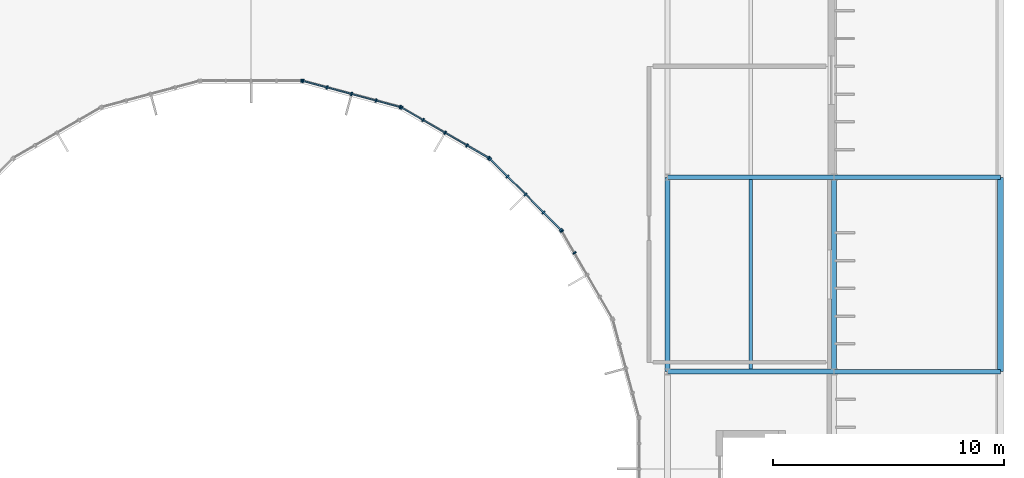
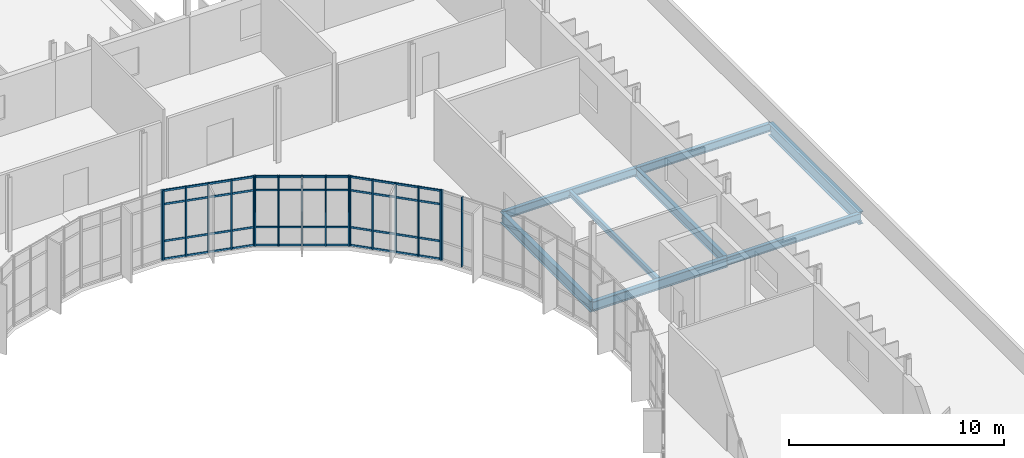
# One storey, part 55 of 99: 30 members, 8 beams, 5 elements without a shape of their own.
"""IFC4 building model written with IfcOpenShell, lengths in metres."""

import ifcopenshell
import ifcopenshell.guid

model = None  # the IFC model being written
_history = None  # IfcOwnerHistory: only IFC2X3 demands one
_inside = {}  # id of a spatial element -> (the spatial element, [elements in it])
_under = {}  # id of a project, library or spatial element -> (it, [spatial elements below it])
_declared = {}  # id of a project -> (the project, [libraries it declares])
_typed = {}  # id of a type object -> (the type object, [elements of that type])
_made_of = {}  # id of a material, layer set ... -> (it, [elements and type objects made of it])


def new_model(schema):
    """Start an empty IFC model of exactly this schema.

    Asked for "IFC4X3", IfcOpenShell would pick the latest addendum, in which some entities
    have other attributes; the version numbers below select the first issue.
    IFC2X3 requires an IfcOwnerHistory on every rooted entity: one is made here for all.
    """
    global model, _history
    if schema == "IFC4X3":
        model = ifcopenshell.file(schema_version=(4, 3, 0, 0))
    else:
        model = ifcopenshell.file(schema=schema)
    _inside.clear()
    _under.clear()
    _declared.clear()
    _typed.clear()
    _made_of.clear()
    _history = None
    if model.schema == "IFC2X3":
        org = make("IfcOrganization", Name="unknown")
        user = make(
            "IfcPersonAndOrganization",
            ThePerson=make("IfcPerson", FamilyName="unknown"),
            TheOrganization=org,
        )
        app = make(
            "IfcApplication",
            ApplicationDeveloper=org,
            Version="unknown",
            ApplicationFullName="unknown",
            ApplicationIdentifier="unknown",
        )
        _history = make(
            "IfcOwnerHistory",
            OwningUser=user,
            OwningApplication=app,
            ChangeAction="ADDED",
            CreationDate=0,
        )
    return model


def make(cls, **values):
    """One entity of the class cls with the attributes given. An attribute that is None is left unset."""
    return model.create_entity(
        cls, **{name: value for name, value in values.items() if value is not None}
    )


def rooted(cls, **values):
    """An entity with a GlobalId (a new one), such as an element, a storey or a relation."""
    return make(cls, GlobalId=ifcopenshell.guid.new(), OwnerHistory=_history, **values)


def si_unit(unit_type, name, prefix=None):
    """IfcSIUnit, for example si_unit("LENGTHUNIT", "METRE", prefix="MILLI")."""
    return make("IfcSIUnit", UnitType=unit_type, Prefix=prefix, Name=name)


def assignment(units):
    """IfcUnitAssignment: the units of a project."""
    return None if units is None else make("IfcUnitAssignment", Units=units)


def point(xyz):
    """IfcCartesianPoint."""
    return None if xyz is None else make("IfcCartesianPoint", Coordinates=xyz)


def direction(xyz):
    """IfcDirection."""
    return None if xyz is None else make("IfcDirection", DirectionRatios=xyz)


def frame(location, z_axis=None, x_axis=None):
    """IfcAxis2Placement3D, a coordinate frame: its origin and axes. An axis left out is left unset."""
    return make(
        "IfcAxis2Placement3D",
        Location=point(location),
        Axis=direction(z_axis),
        RefDirection=direction(x_axis),
    )


def frame_2d(location, x_axis=None):
    """IfcAxis2Placement2D, a coordinate frame in the plane: its origin and x axis."""
    return make(
        "IfcAxis2Placement2D", Location=point(location), RefDirection=direction(x_axis)
    )


def origin():
    """The frame at (0, 0, 0) with its axes left unset."""
    return frame((0.0, 0.0, 0.0))


def origin_2d():
    """The frame at (0, 0) in the plane with its x axis left unset."""
    return frame_2d((0.0, 0.0))


def place(relative_to, where):
    """IfcLocalPlacement: puts the frame where relative to a parent placement (None: the world)."""
    return make(
        "IfcLocalPlacement", PlacementRelTo=relative_to, RelativePlacement=where
    )


def context(
    kind, dimensions, precision=None, world=None, true_north=None, identifier=None
):
    """IfcGeometricRepresentationContext, for example the 3D "Model" context."""
    return make(
        "IfcGeometricRepresentationContext",
        ContextIdentifier=identifier,
        ContextType=kind,
        CoordinateSpaceDimension=dimensions,
        Precision=precision,
        WorldCoordinateSystem=world,
        TrueNorth=true_north,
    )


def subcontext(parent, identifier, kind, view, scale=None):
    """IfcGeometricRepresentationSubContext, for example "Body" below "Model"."""
    return make(
        "IfcGeometricRepresentationSubContext",
        ContextIdentifier=identifier,
        ContextType=kind,
        ParentContext=parent,
        TargetScale=scale,
        TargetView=view,
    )


def project(units=None, contexts=None):
    """IfcProject with its units and contexts."""
    return rooted(
        "IfcProject",
        Name="project",
        RepresentationContexts=contexts,
        UnitsInContext=assignment(units),
    )


def spatial(cls, under=None, at=None, **own):
    """A site, building, storey or space (cls), placed at a placement, below another one or the project."""
    s = rooted(cls, ObjectPlacement=at, **own)
    if under is not None:
        _under.setdefault(under.id(), (under, []))[1].append(s)
    return s


def profile(cls, at=None, kind="AREA", **sizes):
    """A parametric profile (cls). Its sizes go by their IFC names, for example OverallWidth=200.0."""
    return make(cls, ProfileType=kind, Position=at, **sizes)


def rectangle(**sizes):
    """IfcRectangleProfileDef."""
    return profile("IfcRectangleProfileDef", **sizes)


def i_section(**sizes):
    """IfcIShapeProfileDef."""
    return profile("IfcIShapeProfileDef", **sizes)


def extrude(swept, where, along, depth):
    """IfcExtrudedAreaSolid: the profile swept, set in the frame where, extruded along a direction by depth."""
    return make(
        "IfcExtrudedAreaSolid",
        SweptArea=swept,
        Position=where,
        ExtrudedDirection=direction(along),
        Depth=depth,
    )


def shape(context_of_items, identifier, shape_type, items):
    """IfcShapeRepresentation: the items that make up one representation, for example the "Body"."""
    return make(
        "IfcShapeRepresentation",
        ContextOfItems=context_of_items,
        RepresentationIdentifier=identifier,
        RepresentationType=shape_type,
        Items=items,
    )


def material(Name=None, Category=None):
    """IfcMaterial."""
    return make("IfcMaterial", Name=Name, Category=Category)


def material_profile(
    of_material, cross_section, Name=None, Category=None, Priority=None
):
    """IfcMaterialProfile: a cross section and its material."""
    return make(
        "IfcMaterialProfile",
        Name=Name,
        Material=of_material,
        Profile=cross_section,
        Priority=Priority,
        Category=Category,
    )


def profile_set(profiles, Name=None, composite=None):
    """IfcMaterialProfileSet."""
    return make(
        "IfcMaterialProfileSet",
        Name=Name,
        MaterialProfiles=profiles,
        CompositeProfile=composite,
    )


def made_of(thing, what):
    """Note that an element or type object is made of a material, layer set ...; save() writes the relation."""
    if what is not None:
        _made_of.setdefault(what.id(), (what, []))[1].append(thing)
    return thing


def type_object(cls, material=None, **own):
    """A type object (cls), such as IfcWallType, which elements share."""
    return made_of(rooted(cls, **own), material)


def element(
    cls,
    number,
    at=None,
    inside=None,
    cuts=None,
    type_object=None,
    material=None,
    context=None,
    identifier="Body",
    shape_type=None,
    held_by="IfcProductDefinitionShape",
    body=None,
    shapes=None,
    **own,
):
    """One element of the class cls, such as IfcWall. Its Tag is "e" and its number.

    at: its placement. inside: the storey or other place that contains it. cuts: it is an
    opening in that element (IfcRelVoidsElement). A single representation is given by context,
    identifier, shape_type and body (its items); several are given by shapes. held_by: the class
    of the entity that holds the representations. save() writes the other relations.
    """
    e = rooted(cls, Tag="e%d" % number, ObjectPlacement=at, **own)
    if body is not None:
        shapes = [shape(context, identifier, shape_type, body)]
    if shapes is not None:
        e.Representation = make(held_by, Representations=shapes)
    if inside is not None:
        _inside.setdefault(inside.id(), (inside, []))[1].append(e)
    if cuts is not None:
        rooted(
            "IfcRelVoidsElement", RelatingBuildingElement=cuts, RelatedOpeningElement=e
        )
    if type_object is not None:
        _typed.setdefault(type_object.id(), (type_object, []))[1].append(e)
    return made_of(e, material)


def aggregate(whole, parts):
    """IfcRelAggregates: a whole, such as a stair, and the parts it consists of."""
    return rooted("IfcRelAggregates", RelatingObject=whole, RelatedObjects=parts)


def save(model, path):
    """Write the relations noted so far, then the file.

    IfcRelAggregates (storeys below a building ...), IfcRelContainedInSpatialStructure (elements
    in a storey), IfcRelDefinesByType, IfcRelAssociatesMaterial and IfcRelDeclares: one each for
    every whole, place, type object, material and project.
    """
    for whole, parts in _under.values():
        aggregate(whole, parts)
    for where, things in _inside.values():
        rooted(
            "IfcRelContainedInSpatialStructure",
            RelatedElements=things,
            RelatingStructure=where,
        )
    for kind, things in _typed.values():
        rooted("IfcRelDefinesByType", RelatedObjects=things, RelatingType=kind)
    for what, things in _made_of.values():
        rooted("IfcRelAssociatesMaterial", RelatedObjects=things, RelatingMaterial=what)
    for by, libraries in _declared.values():
        rooted("IfcRelDeclares", RelatingContext=by, RelatedDefinitions=libraries)
    model.write(path)


model = new_model("IFC4")

# Units and contexts
model_context = context("Model", 3, precision=1e-05, world=origin(), true_north=direction((0.0, 1.0)))
body_context = subcontext(model_context, "Body", "Model", "MODEL_VIEW")
ifc_project = project(units=[si_unit("LENGTHUNIT", "METRE"), si_unit("AREAUNIT", "SQUARE_METRE"), si_unit("VOLUMEUNIT", "CUBIC_METRE"), si_unit("PLANEANGLEUNIT", "RADIAN"), si_unit("MASSUNIT", "GRAM", prefix="KILO")], contexts=[model_context])

# Site, building, storey
site_placement = place(None, origin())
site = spatial("IfcSite", under=ifc_project, at=site_placement, CompositionType="ELEMENT")
building_placement = place(site_placement, origin())
building = spatial("IfcBuilding", under=site, at=building_placement, Name="Qelthora Terrace Specialist Clinic", CompositionType="ELEMENT")
storey_placement = place(building_placement, frame((0.0, 0.0, 9.0)))
storey = spatial("IfcBuildingStorey", under=building, at=storey_placement, Name="L02", CompositionType="ELEMENT", Elevation=9.0)

# Beams
ifc_material_1 = material(Name="Steel S355", Category="steel")
ifc_material_profile_1 = material_profile(ifc_material_1, i_section(OverallWidth=0.19091796875, OverallDepth=0.4599609375, WebThickness=0.010009765625, FlangeThickness=0.01611328125, FilletRadius=0.012939453125, at=origin_2d()), Name="W460X82")
ifc_profile_set_1 = profile_set([ifc_material_profile_1], Name="Steel S355")
beam_type_1 = type_object("IfcBeamType", Name="BM-W460X82", PredefinedType="BEAM", material=ifc_profile_set_1)
beam_1_placement = place(storey_placement, frame((144.0, 75.60009765625, -0.47998046875), z_axis=(1.0, 0.0, 0.0), x_axis=(0.0, 1.0, 0.0)))
element("IfcBeam", 1, at=beam_1_placement, inside=storey, type_object=beam_type_1, Name="Girder BMX-L02-0671", PredefinedType="BEAM", context=body_context, shape_type="SweptSolid", body=[
    extrude(i_section(OverallWidth=0.19091796875, OverallDepth=0.4599609375, WebThickness=0.010009765625, FlangeThickness=0.01611328125, FilletRadius=0.012939453125, at=origin_2d()), origin(), (0.0, 0.0, 1.0), 7.199951171875),
])
ifc_material_profile_2 = material_profile(ifc_material_1, i_section(OverallWidth=0.2099609375, OverallDepth=0.537109375, WebThickness=0.010986328125, FlangeThickness=0.017333984375, FilletRadius=0.013916015625, at=origin_2d()), Name="W530X101")
ifc_profile_set_2 = profile_set([ifc_material_profile_2], Name="Steel S355")
beam_type_2 = type_object("IfcBeamType", Name="BM-W530X101", PredefinedType="BEAM", material=ifc_profile_set_2)
beam_2_placement = place(storey_placement, frame((151.199951171875, 67.199951171875, -0.5185546875), z_axis=(0.0, 1.0, 0.0), x_axis=(-1.0, 0.0, 0.0)))
element("IfcBeam", 2, at=beam_2_placement, inside=storey, type_object=beam_type_2, Name="Girder BMY-L02-0906", PredefinedType="BEAM", context=body_context, shape_type="SweptSolid", body=[
    extrude(i_section(OverallWidth=0.2099609375, OverallDepth=0.537109375, WebThickness=0.010986328125, FlangeThickness=0.017333984375, FilletRadius=0.013916015625, at=origin_2d()), origin(), (0.0, 0.0, 1.0), 8.400146484375),
])
ifc_material_profile_3 = material_profile(ifc_material_1, i_section(OverallWidth=0.2119140625, OverallDepth=0.5439453125, WebThickness=0.01318359375, FlangeThickness=0.021240234375, FilletRadius=0.013916015625, at=origin_2d()), Name="W530X123")
ifc_profile_set_3 = profile_set([ifc_material_profile_3], Name="Steel S355")
beam_type_3 = type_object("IfcBeamType", Name="BM-W530X123", PredefinedType="BEAM", material=ifc_profile_set_3)
beam_3_placement = place(storey_placement, frame((144.0, 67.199951171875, -0.52197265625), z_axis=(1.0, 0.0, 0.0), x_axis=(0.0, 1.0, 0.0)))
element("IfcBeam", 3, at=beam_3_placement, inside=storey, type_object=beam_type_3, Name="Girder BMX-L02-0663", PredefinedType="BEAM", context=body_context, shape_type="SweptSolid", body=[
    extrude(i_section(OverallWidth=0.2119140625, OverallDepth=0.5439453125, WebThickness=0.01318359375, FlangeThickness=0.021240234375, FilletRadius=0.013916015625, at=origin_2d()), origin(), (0.0, 0.0, 1.0), 7.199951171875),
])
ifc_material_profile_4 = material_profile(ifc_material_1, i_section(OverallWidth=0.22998046875, OverallDepth=0.616943359375, WebThickness=0.01318359375, FlangeThickness=0.022216796875, FilletRadius=0.01611328125, at=origin_2d()), Name="W610X140")
ifc_profile_set_4 = profile_set([ifc_material_profile_4], Name="Steel S355")
beam_type_4 = type_object("IfcBeamType", Name="BM-W610X140", PredefinedType="BEAM", material=ifc_profile_set_4)
beam_4_placement = place(storey_placement, frame((144.0, 67.199951171875, -0.55859375), z_axis=(0.0, 1.0, 0.0), x_axis=(-1.0, 0.0, 0.0)))
element("IfcBeam", 4, at=beam_4_placement, inside=storey, type_object=beam_type_4, Name="Girder BMY-L02-0894", PredefinedType="BEAM", context=body_context, shape_type="SweptSolid", body=[
    extrude(i_section(OverallWidth=0.22998046875, OverallDepth=0.616943359375, WebThickness=0.01318359375, FlangeThickness=0.022216796875, FilletRadius=0.01611328125, at=origin_2d()), origin(), (0.0, 0.0, 1.0), 8.400146484375),
])
ifc_material_profile_5 = material_profile(ifc_material_1, i_section(OverallWidth=0.256103515625, OverallDepth=0.693115234375, WebThickness=0.014404296875, FlangeThickness=0.023681640625, FilletRadius=0.01806640625, at=origin_2d()), Name="W690X170")
ifc_profile_set_5 = profile_set([ifc_material_profile_5], Name="Steel S355")
beam_type_5 = type_object("IfcBeamType", Name="BM-W690X170", PredefinedType="BEAM", material=ifc_profile_set_5)
beam_5_placement = place(storey_placement, frame((158.39990234375, 67.199951171875, -0.596435546875), z_axis=(0.0, 1.0, 0.0), x_axis=(-1.0, 0.0, 0.0)))
element("IfcBeam", 5, at=beam_5_placement, inside=storey, type_object=beam_type_5, Name="Girder BMY-L02-0913", PredefinedType="BEAM", context=body_context, shape_type="SweptSolid", body=[
    extrude(i_section(OverallWidth=0.256103515625, OverallDepth=0.693115234375, WebThickness=0.014404296875, FlangeThickness=0.023681640625, FilletRadius=0.01806640625, at=origin_2d()), origin(), (0.0, 0.0, 1.0), 8.400146484375),
])

# Curtain wall, members
ifc_material_2 = material(Name="Aluminium anodized bronze", Category="aluminium")
curtain_wall_type = type_object("IfcCurtainWallType", Name="CW-CRTE-UPP", PredefinedType="NOTDEFINED", material=ifc_material_2)
curtain_wall_1_placement = place(storey_placement, origin())
curtain_wall_1 = element("IfcCurtainWall", 6, at=curtain_wall_1_placement, inside=storey, type_object=curtain_wall_type, Name="Curtain wall CW-CE-L02-02", PredefinedType="NOTDEFINED")
ifc_material_profile_6 = material_profile(ifc_material_2, rectangle(XDim=0.06005859375, YDim=0.14990234375, at=origin_2d()), Name="CWM60X150")
ifc_profile_set_6 = profile_set([ifc_material_profile_6], Name="Aluminium anodized bronze")
member_type_1 = type_object("IfcMemberType", Name="CWM-60X150", PredefinedType="MULLION", material=ifc_profile_set_6)
member_1_placement = place(storey_placement, frame((139.98046875, 72.337646484375, 0.0), z_axis=(0.0, 0.0, 1.0), x_axis=(-0.500000028915, 0.86602538709, 0.0)))
member_1 = element("IfcMember", 7, at=member_1_placement, type_object=member_type_1, Name="CW-CE-L02-02 mullion 4", PredefinedType="MULLION", context=body_context, shape_type="SweptSolid", body=[
    extrude(rectangle(XDim=0.06005859375, YDim=0.14990234375, at=origin_2d()), origin(), (0.0, 0.0, 1.0), 3.945068359375),
])
member_2_placement = place(storey_placement, frame((139.442138671875, 73.269775390625, 0.0), z_axis=(0.0, 0.0, 1.0), x_axis=(-0.500000028915, 0.86602538709, 0.0)))
member_2 = element("IfcMember", 8, at=member_2_placement, type_object=member_type_1, Name="CW-CE-L02-02 mullion 5", PredefinedType="MULLION", context=body_context, shape_type="SweptSolid", body=[
    extrude(rectangle(XDim=0.06005859375, YDim=0.14990234375, at=origin_2d()), origin(), (0.0, 0.0, 1.0), 3.945068359375),
])
aggregate(curtain_wall_1, [member_1, member_2])

curtain_wall_2_placement = place(storey_placement, origin())
curtain_wall_2 = element("IfcCurtainWall", 9, at=curtain_wall_2_placement, inside=storey, type_object=curtain_wall_type, Name="Curtain wall CW-CE-L02-03", PredefinedType="NOTDEFINED")
member_3_placement = place(storey_placement, frame((139.399169921875, 73.326171875, 0.0), z_axis=(0.0, 0.0, 1.0), x_axis=(-0.707106781187, 0.707106781187, 0.0)))
member_3 = element("IfcMember", 10, at=member_3_placement, type_object=member_type_1, Name="CW-CE-L02-03 mullion 1", PredefinedType="MULLION", context=body_context, shape_type="SweptSolid", body=[
    extrude(rectangle(XDim=0.06005859375, YDim=0.14990234375, at=origin_2d()), origin(), (0.0, 0.0, 1.0), 3.945068359375),
])
member_4_placement = place(storey_placement, frame((138.637939453125, 74.08740234375, 0.0), z_axis=(0.0, 0.0, 1.0), x_axis=(-0.707106781187, 0.707106781187, 0.0)))
member_4 = element("IfcMember", 11, at=member_4_placement, type_object=member_type_1, Name="CW-CE-L02-03 mullion 2", PredefinedType="MULLION", context=body_context, shape_type="SweptSolid", body=[
    extrude(rectangle(XDim=0.06005859375, YDim=0.14990234375, at=origin_2d()), origin(), (0.0, 0.0, 1.0), 3.945068359375),
])
member_5_placement = place(storey_placement, frame((137.862548828125, 74.862548828125, 0.0), z_axis=(0.0, 0.0, 1.0), x_axis=(-0.707106781187, 0.707106781187, 0.0)))
member_5 = element("IfcMember", 12, at=member_5_placement, type_object=member_type_1, Name="CW-CE-L02-03 mullion 3", PredefinedType="MULLION", context=body_context, shape_type="SweptSolid", body=[
    extrude(rectangle(XDim=0.06005859375, YDim=0.14990234375, at=origin_2d()), origin(), (0.0, 0.0, 1.0), 3.945068359375),
])
member_6_placement = place(storey_placement, frame((137.08740234375, 75.637939453125, 0.0), z_axis=(0.0, 0.0, 1.0), x_axis=(-0.707106781187, 0.707106781187, 0.0)))
member_6 = element("IfcMember", 13, at=member_6_placement, type_object=member_type_1, Name="CW-CE-L02-03 mullion 4", PredefinedType="MULLION", context=body_context, shape_type="SweptSolid", body=[
    extrude(rectangle(XDim=0.06005859375, YDim=0.14990234375, at=origin_2d()), origin(), (0.0, 0.0, 1.0), 3.945068359375),
])
member_7_placement = place(storey_placement, frame((136.326171875, 76.399169921875, 0.0), z_axis=(0.0, 0.0, 1.0), x_axis=(-0.707106781187, 0.707106781187, 0.0)))
member_7 = element("IfcMember", 14, at=member_7_placement, type_object=member_type_1, Name="CW-CE-L02-03 mullion 5", PredefinedType="MULLION", context=body_context, shape_type="SweptSolid", body=[
    extrude(rectangle(XDim=0.06005859375, YDim=0.14990234375, at=origin_2d()), origin(), (0.0, 0.0, 1.0), 3.945068359375),
])

curtain_wall_3_placement = place(storey_placement, origin())
curtain_wall_3 = element("IfcCurtainWall", 15, at=curtain_wall_3_placement, inside=storey, type_object=curtain_wall_type, Name="Curtain wall CW-CE-L02-04", PredefinedType="NOTDEFINED")
member_8_placement = place(storey_placement, frame((136.269775390625, 76.442138671875, 0.0), z_axis=(0.0, 0.0, 1.0), x_axis=(-0.86602538709, 0.500000028915, 0.0)))
member_8 = element("IfcMember", 16, at=member_8_placement, type_object=member_type_1, Name="CW-CE-L02-04 mullion 1", PredefinedType="MULLION", context=body_context, shape_type="SweptSolid", body=[
    extrude(rectangle(XDim=0.06005859375, YDim=0.14990234375, at=origin_2d()), origin(), (0.0, 0.0, 1.0), 3.945068359375),
])
member_9_placement = place(storey_placement, frame((135.337646484375, 76.98046875, 0.0), z_axis=(0.0, 0.0, 1.0), x_axis=(-0.86602538709, 0.500000028915, 0.0)))
member_9 = element("IfcMember", 17, at=member_9_placement, type_object=member_type_1, Name="CW-CE-L02-04 mullion 2", PredefinedType="MULLION", context=body_context, shape_type="SweptSolid", body=[
    extrude(rectangle(XDim=0.06005859375, YDim=0.14990234375, at=origin_2d()), origin(), (0.0, 0.0, 1.0), 3.945068359375),
])
member_10_placement = place(storey_placement, frame((134.38818359375, 77.528564453125, 0.0), z_axis=(0.0, 0.0, 1.0), x_axis=(-0.86602538709, 0.500000028915, 0.0)))
member_10 = element("IfcMember", 18, at=member_10_placement, type_object=member_type_1, Name="CW-CE-L02-04 mullion 3", PredefinedType="MULLION", context=body_context, shape_type="SweptSolid", body=[
    extrude(rectangle(XDim=0.06005859375, YDim=0.14990234375, at=origin_2d()), origin(), (0.0, 0.0, 1.0), 3.945068359375),
])
member_11_placement = place(storey_placement, frame((133.438720703125, 78.076904296875, 0.0), z_axis=(0.0, 0.0, 1.0), x_axis=(-0.86602538709, 0.500000028915, 0.0)))
member_11 = element("IfcMember", 19, at=member_11_placement, type_object=member_type_1, Name="CW-CE-L02-04 mullion 4", PredefinedType="MULLION", context=body_context, shape_type="SweptSolid", body=[
    extrude(rectangle(XDim=0.06005859375, YDim=0.14990234375, at=origin_2d()), origin(), (0.0, 0.0, 1.0), 3.945068359375),
])
member_12_placement = place(storey_placement, frame((132.50634765625, 78.614990234375, 0.0), z_axis=(0.0, 0.0, 1.0), x_axis=(-0.86602538709, 0.500000028915, 0.0)))
member_12 = element("IfcMember", 20, at=member_12_placement, type_object=member_type_1, Name="CW-CE-L02-04 mullion 5", PredefinedType="MULLION", context=body_context, shape_type="SweptSolid", body=[
    extrude(rectangle(XDim=0.06005859375, YDim=0.14990234375, at=origin_2d()), origin(), (0.0, 0.0, 1.0), 3.945068359375),
])

curtain_wall_4_placement = place(storey_placement, origin())
curtain_wall_4 = element("IfcCurtainWall", 21, at=curtain_wall_4_placement, inside=storey, type_object=curtain_wall_type, Name="Curtain wall CW-CE-L02-05", PredefinedType="NOTDEFINED")
member_13_placement = place(storey_placement, frame((132.44091796875, 78.642333984375, 0.0), z_axis=(0.0, 0.0, 1.0), x_axis=(-0.965925660235, 0.258819664824, 0.0)))
member_13 = element("IfcMember", 22, at=member_13_placement, type_object=member_type_1, Name="CW-CE-L02-05 mullion 1", PredefinedType="MULLION", context=body_context, shape_type="SweptSolid", body=[
    extrude(rectangle(XDim=0.06005859375, YDim=0.14990234375, at=origin_2d()), origin(), (0.0, 0.0, 1.0), 3.945068359375),
])
member_14_placement = place(storey_placement, frame((131.401123046875, 78.9208984375, 0.0), z_axis=(0.0, 0.0, 1.0), x_axis=(-0.965925660235, 0.258819664824, 0.0)))
member_14 = element("IfcMember", 23, at=member_14_placement, type_object=member_type_1, Name="CW-CE-L02-05 mullion 2", PredefinedType="MULLION", context=body_context, shape_type="SweptSolid", body=[
    extrude(rectangle(XDim=0.06005859375, YDim=0.14990234375, at=origin_2d()), origin(), (0.0, 0.0, 1.0), 3.945068359375),
])
member_15_placement = place(storey_placement, frame((130.342041015625, 79.20458984375, 0.0), z_axis=(0.0, 0.0, 1.0), x_axis=(-0.965925660235, 0.258819664824, 0.0)))
member_15 = element("IfcMember", 24, at=member_15_placement, type_object=member_type_1, Name="CW-CE-L02-05 mullion 3", PredefinedType="MULLION", context=body_context, shape_type="SweptSolid", body=[
    extrude(rectangle(XDim=0.06005859375, YDim=0.14990234375, at=origin_2d()), origin(), (0.0, 0.0, 1.0), 3.945068359375),
])
member_16_placement = place(storey_placement, frame((129.282958984375, 79.488525390625, 0.0), z_axis=(0.0, 0.0, 1.0), x_axis=(-0.965925660235, 0.258819664824, 0.0)))
member_16 = element("IfcMember", 25, at=member_16_placement, type_object=member_type_1, Name="CW-CE-L02-05 mullion 4", PredefinedType="MULLION", context=body_context, shape_type="SweptSolid", body=[
    extrude(rectangle(XDim=0.06005859375, YDim=0.14990234375, at=origin_2d()), origin(), (0.0, 0.0, 1.0), 3.945068359375),
])
member_17_placement = place(storey_placement, frame((128.2431640625, 79.76708984375, 0.0), z_axis=(0.0, 0.0, 1.0), x_axis=(-0.965925660235, 0.258819664824, 0.0)))
member_17 = element("IfcMember", 26, at=member_17_placement, type_object=member_type_1, Name="CW-CE-L02-05 mullion 5", PredefinedType="MULLION", context=body_context, shape_type="SweptSolid", body=[
    extrude(rectangle(XDim=0.06005859375, YDim=0.14990234375, at=origin_2d()), origin(), (0.0, 0.0, 1.0), 3.945068359375),
])

# Curtain wall, member
curtain_wall_5_placement = place(storey_placement, origin())
curtain_wall_5 = element("IfcCurtainWall", 27, at=curtain_wall_5_placement, inside=storey, type_object=curtain_wall_type, Name="Curtain wall CW-CE-L02-06", PredefinedType="NOTDEFINED")
member_18_placement = place(storey_placement, frame((128.1728515625, 79.7763671875, 0.0), z_axis=(0.0, 0.0, 1.0), x_axis=(-1.0, 0.0, 0.0)))
member_18 = element("IfcMember", 28, at=member_18_placement, type_object=member_type_1, Name="CW-CE-L02-06 mullion 1", PredefinedType="MULLION", context=body_context, shape_type="SweptSolid", body=[
    extrude(rectangle(XDim=0.06005859375, YDim=0.14990234375, at=origin_2d()), origin(), (0.0, 0.0, 1.0), 3.945068359375),
])
aggregate(curtain_wall_5, [member_18])

# Member
ifc_material_profile_7 = material_profile(ifc_material_2, rectangle(XDim=0.06005859375, YDim=0.110107421875, at=origin_2d()), Name="CWT60X110")
ifc_profile_set_7 = profile_set([ifc_material_profile_7], Name="Aluminium anodized bronze")
member_type_2 = type_object("IfcMemberType", Name="CWT-60X110", PredefinedType="USERDEFINED", material=ifc_profile_set_7)
member_19_placement = place(storey_placement, frame((139.385009765625, 73.34033203125, 0.0400390625), z_axis=(-0.707106781187, 0.707106781187, 0.0), x_axis=(-0.707106781187, -0.707106781187, 0.0)))
member_19 = element("IfcMember", 29, at=member_19_placement, type_object=member_type_2, Name="CW-CE-L02-03 transom 1", ObjectType="TRANSOM", PredefinedType="USERDEFINED", context=body_context, shape_type="SweptSolid", body=[
    extrude(rectangle(XDim=0.06005859375, YDim=0.110107421875, at=origin_2d()), origin(), (0.0, 0.0, 1.0), 4.305908203125),
])

member_20_placement = place(storey_placement, frame((139.385009765625, 73.34033203125, 1.050048828125), z_axis=(-0.707106781187, 0.707106781187, 0.0), x_axis=(-0.707106781187, -0.707106781187, 0.0)))
member_20 = element("IfcMember", 30, at=member_20_placement, type_object=member_type_2, Name="CW-CE-L02-03 transom 2", ObjectType="TRANSOM", PredefinedType="USERDEFINED", context=body_context, shape_type="SweptSolid", body=[
    extrude(rectangle(XDim=0.06005859375, YDim=0.110107421875, at=origin_2d()), origin(), (0.0, 0.0, 1.0), 4.305908203125),
])

member_21_placement = place(storey_placement, frame((139.385009765625, 73.34033203125, 3.14501953125), z_axis=(-0.707106781187, 0.707106781187, 0.0), x_axis=(-0.707106781187, -0.707106781187, 0.0)))
member_21 = element("IfcMember", 31, at=member_21_placement, type_object=member_type_2, Name="CW-CE-L02-03 transom 3", ObjectType="TRANSOM", PredefinedType="USERDEFINED", context=body_context, shape_type="SweptSolid", body=[
    extrude(rectangle(XDim=0.06005859375, YDim=0.110107421875, at=origin_2d()), origin(), (0.0, 0.0, 1.0), 4.305908203125),
])

member_22_placement = place(storey_placement, frame((139.385009765625, 73.34033203125, 3.905029296875), z_axis=(-0.707106781187, 0.707106781187, 0.0), x_axis=(-0.707106781187, -0.707106781187, 0.0)))
member_22 = element("IfcMember", 32, at=member_22_placement, type_object=member_type_2, Name="CW-CE-L02-03 transom 4", ObjectType="TRANSOM", PredefinedType="USERDEFINED", context=body_context, shape_type="SweptSolid", body=[
    extrude(rectangle(XDim=0.06005859375, YDim=0.110107421875, at=origin_2d()), origin(), (0.0, 0.0, 1.0), 4.305908203125),
])

aggregate(curtain_wall_2, [member_3, member_4, member_5, member_6, member_7, member_19, member_20, member_21, member_22])

member_23_placement = place(storey_placement, frame((136.25244140625, 76.4521484375, 0.0400390625), z_axis=(-0.866022228109, 0.500005500391, 0.0), x_axis=(-0.500005500391, -0.866022228109, 0.0)))
member_23 = element("IfcMember", 33, at=member_23_placement, type_object=member_type_2, Name="CW-CE-L02-04 transom 1", ObjectType="TRANSOM", PredefinedType="USERDEFINED", context=body_context, shape_type="SweptSolid", body=[
    extrude(rectangle(XDim=0.06005859375, YDim=0.110107421875, at=origin_2d()), origin(), (0.0, 0.0, 1.0), 4.3056640625),
])

member_24_placement = place(storey_placement, frame((136.25244140625, 76.4521484375, 1.050048828125), z_axis=(-0.866022228109, 0.500005500391, 0.0), x_axis=(-0.500005500391, -0.866022228109, 0.0)))
member_24 = element("IfcMember", 34, at=member_24_placement, type_object=member_type_2, Name="CW-CE-L02-04 transom 2", ObjectType="TRANSOM", PredefinedType="USERDEFINED", context=body_context, shape_type="SweptSolid", body=[
    extrude(rectangle(XDim=0.06005859375, YDim=0.110107421875, at=origin_2d()), origin(), (0.0, 0.0, 1.0), 4.3056640625),
])

member_25_placement = place(storey_placement, frame((136.25244140625, 76.4521484375, 3.14501953125), z_axis=(-0.866022228109, 0.500005500391, 0.0), x_axis=(-0.500005500391, -0.866022228109, 0.0)))
member_25 = element("IfcMember", 35, at=member_25_placement, type_object=member_type_2, Name="CW-CE-L02-04 transom 3", ObjectType="TRANSOM", PredefinedType="USERDEFINED", context=body_context, shape_type="SweptSolid", body=[
    extrude(rectangle(XDim=0.06005859375, YDim=0.110107421875, at=origin_2d()), origin(), (0.0, 0.0, 1.0), 4.3056640625),
])

member_26_placement = place(storey_placement, frame((136.25244140625, 76.4521484375, 3.905029296875), z_axis=(-0.866022228109, 0.500005500391, 0.0), x_axis=(-0.500005500391, -0.866022228109, 0.0)))
member_26 = element("IfcMember", 36, at=member_26_placement, type_object=member_type_2, Name="CW-CE-L02-04 transom 4", ObjectType="TRANSOM", PredefinedType="USERDEFINED", context=body_context, shape_type="SweptSolid", body=[
    extrude(rectangle(XDim=0.06005859375, YDim=0.110107421875, at=origin_2d()), origin(), (0.0, 0.0, 1.0), 4.3056640625),
])

aggregate(curtain_wall_3, [member_8, member_9, member_10, member_11, member_12, member_23, member_24, member_25, member_26])

member_27_placement = place(storey_placement, frame((132.42138671875, 78.6474609375, 0.0400390625), z_axis=(-0.965933119212, 0.25879182601, 0.0), x_axis=(-0.25879182601, -0.965933119212, 0.0)))
member_27 = element("IfcMember", 37, at=member_27_placement, type_object=member_type_2, Name="CW-CE-L02-05 transom 1", ObjectType="TRANSOM", PredefinedType="USERDEFINED", context=body_context, shape_type="SweptSolid", body=[
    extrude(rectangle(XDim=0.06005859375, YDim=0.110107421875, at=origin_2d()), origin(), (0.0, 0.0, 1.0), 4.3056640625),
])

member_28_placement = place(storey_placement, frame((132.42138671875, 78.6474609375, 1.050048828125), z_axis=(-0.965933119212, 0.25879182601, 0.0), x_axis=(-0.25879182601, -0.965933119212, 0.0)))
member_28 = element("IfcMember", 38, at=member_28_placement, type_object=member_type_2, Name="CW-CE-L02-05 transom 2", ObjectType="TRANSOM", PredefinedType="USERDEFINED", context=body_context, shape_type="SweptSolid", body=[
    extrude(rectangle(XDim=0.06005859375, YDim=0.110107421875, at=origin_2d()), origin(), (0.0, 0.0, 1.0), 4.3056640625),
])

member_29_placement = place(storey_placement, frame((132.42138671875, 78.6474609375, 3.14501953125), z_axis=(-0.965933119212, 0.25879182601, 0.0), x_axis=(-0.25879182601, -0.965933119212, 0.0)))
member_29 = element("IfcMember", 39, at=member_29_placement, type_object=member_type_2, Name="CW-CE-L02-05 transom 3", ObjectType="TRANSOM", PredefinedType="USERDEFINED", context=body_context, shape_type="SweptSolid", body=[
    extrude(rectangle(XDim=0.06005859375, YDim=0.110107421875, at=origin_2d()), origin(), (0.0, 0.0, 1.0), 4.3056640625),
])

member_30_placement = place(storey_placement, frame((132.42138671875, 78.6474609375, 3.905029296875), z_axis=(-0.965933119212, 0.25879182601, 0.0), x_axis=(-0.25879182601, -0.965933119212, 0.0)))
member_30 = element("IfcMember", 40, at=member_30_placement, type_object=member_type_2, Name="CW-CE-L02-05 transom 4", ObjectType="TRANSOM", PredefinedType="USERDEFINED", context=body_context, shape_type="SweptSolid", body=[
    extrude(rectangle(XDim=0.06005859375, YDim=0.110107421875, at=origin_2d()), origin(), (0.0, 0.0, 1.0), 4.3056640625),
])

aggregate(curtain_wall_4, [member_13, member_14, member_15, member_16, member_17, member_27, member_28, member_29, member_30])

# Beams
ifc_material_profile_8 = material_profile(ifc_material_1, i_section(OverallWidth=0.1669921875, OverallDepth=0.31689453125, WebThickness=0.007568359375, FlangeThickness=0.01318359375, FilletRadius=0.010009765625, at=origin_2d()), Name="W310X52")
ifc_profile_set_8 = profile_set([ifc_material_profile_8], Name="Steel S355")
beam_type_6 = type_object("IfcBeamType", Name="JST-W310X52", PredefinedType="JOIST", material=ifc_profile_set_8)
beam_6_placement = place(storey_placement, frame((147.60009765625, 67.305908203125, -0.408447265625), z_axis=(0.0, 1.0, 0.0), x_axis=(-1.0, 0.0, 0.0)))
element("IfcBeam", 41, at=beam_6_placement, inside=storey, type_object=beam_type_6, Name="Composite floor joist JST-L02-0213", PredefinedType="JOIST", context=body_context, shape_type="SweptSolid", body=[
    extrude(i_section(OverallWidth=0.1669921875, OverallDepth=0.31689453125, WebThickness=0.007568359375, FlangeThickness=0.01318359375, FilletRadius=0.010009765625, at=origin_2d()), origin(), (0.0, 0.0, 1.0), 8.198486328125),
])
ifc_material_profile_9 = material_profile(ifc_material_1, i_section(OverallWidth=0.19091796875, OverallDepth=0.4599609375, WebThickness=0.010009765625, FlangeThickness=0.01611328125, FilletRadius=0.012939453125, at=origin_2d()), Name="W460X82")
ifc_profile_set_9 = profile_set([ifc_material_profile_9], Name="Steel S355")
beam_type_7 = type_object("IfcBeamType", Name="SPD-W460X82", PredefinedType="SPANDREL", material=ifc_profile_set_9)
for number, where, z_axis, x_axis, name in (
    (42, (151.199951171875, 67.199951171875, -0.47998046875), (1.0, 0.0, 0.0), (0.0, 1.0, 0.0), "Girder BMX-L02-0664"),
    (43, (151.199951171875, 75.60009765625, -0.47998046875), (1.0, 0.0, 0.0), (0.0, 1.0, 0.0), "Girder BMX-L02-0672"),
):
    element("IfcBeam", number, at=place(storey_placement, frame(where, z_axis=z_axis, x_axis=x_axis)), inside=storey, type_object=beam_type_7, Name=name, PredefinedType="SPANDREL", context=body_context, shape_type="SweptSolid", body=[
        extrude(i_section(OverallWidth=0.19091796875, OverallDepth=0.4599609375, WebThickness=0.010009765625, FlangeThickness=0.01611328125, FilletRadius=0.012939453125, at=origin_2d()), origin(), (0.0, 0.0, 1.0), 7.199951171875),
    ])

save(model, "model.ifc")
